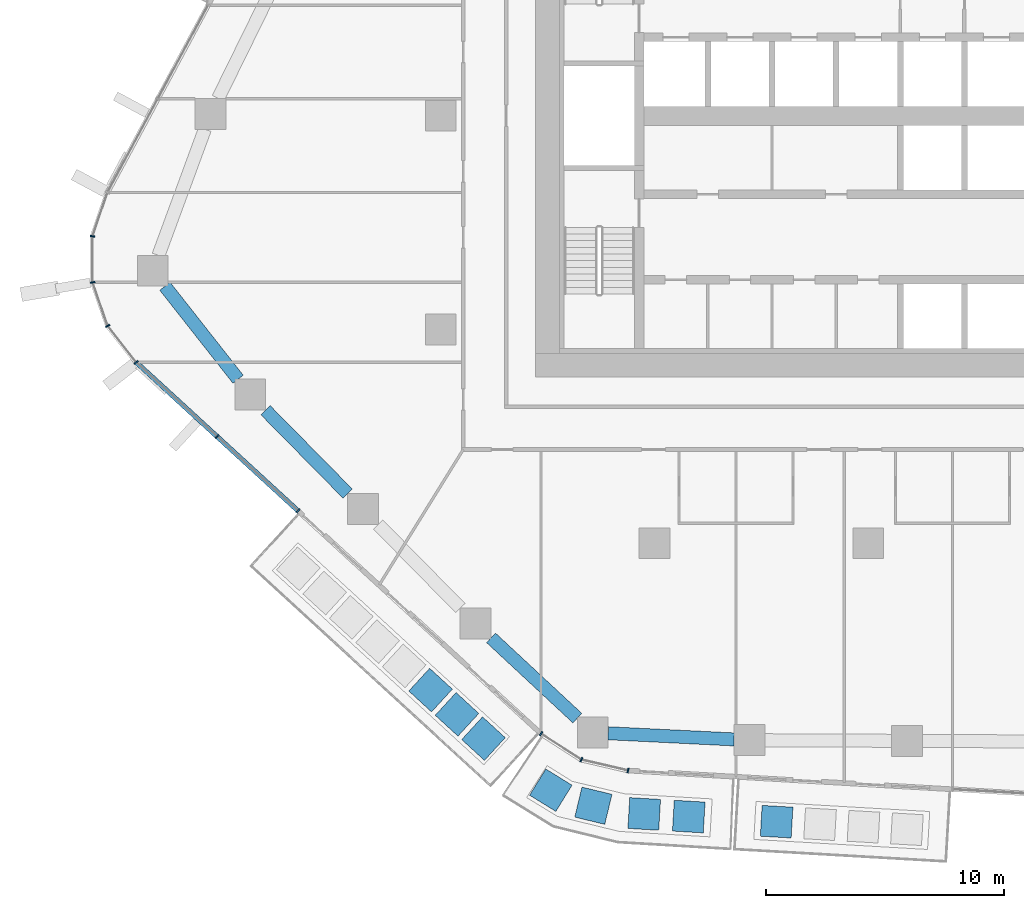
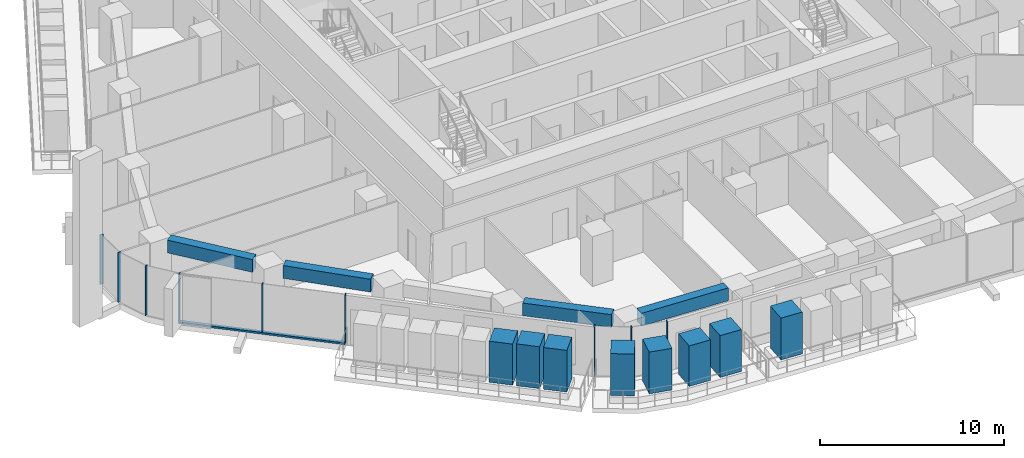
# One storey, part 2 of 24: 18 members, 4 beams, 3 elements without a shape of their own.
"""IFC4 building model written with IfcOpenShell, lengths in metres."""

import ifcopenshell
import ifcopenshell.guid

model = None  # the IFC model being written
_history = None  # IfcOwnerHistory: only IFC2X3 demands one
_inside = {}  # id of a spatial element -> (the spatial element, [elements in it])
_under = {}  # id of a project, library or spatial element -> (it, [spatial elements below it])
_declared = {}  # id of a project -> (the project, [libraries it declares])
_typed = {}  # id of a type object -> (the type object, [elements of that type])
_made_of = {}  # id of a material, layer set ... -> (it, [elements and type objects made of it])


def new_model(schema):
    """Start an empty IFC model of exactly this schema.

    Asked for "IFC4X3", IfcOpenShell would pick the latest addendum, in which some entities
    have other attributes; the version numbers below select the first issue.
    IFC2X3 requires an IfcOwnerHistory on every rooted entity: one is made here for all.
    """
    global model, _history
    if schema == "IFC4X3":
        model = ifcopenshell.file(schema_version=(4, 3, 0, 0))
    else:
        model = ifcopenshell.file(schema=schema)
    _inside.clear()
    _under.clear()
    _declared.clear()
    _typed.clear()
    _made_of.clear()
    _history = None
    if model.schema == "IFC2X3":
        org = make("IfcOrganization", Name="unknown")
        user = make(
            "IfcPersonAndOrganization",
            ThePerson=make("IfcPerson", FamilyName="unknown"),
            TheOrganization=org,
        )
        app = make(
            "IfcApplication",
            ApplicationDeveloper=org,
            Version="unknown",
            ApplicationFullName="unknown",
            ApplicationIdentifier="unknown",
        )
        _history = make(
            "IfcOwnerHistory",
            OwningUser=user,
            OwningApplication=app,
            ChangeAction="ADDED",
            CreationDate=0,
        )
    return model


def make(cls, **values):
    """One entity of the class cls with the attributes given. An attribute that is None is left unset."""
    return model.create_entity(
        cls, **{name: value for name, value in values.items() if value is not None}
    )


def rooted(cls, **values):
    """An entity with a GlobalId (a new one), such as an element, a storey or a relation."""
    return make(cls, GlobalId=ifcopenshell.guid.new(), OwnerHistory=_history, **values)


def si_unit(unit_type, name, prefix=None):
    """IfcSIUnit, for example si_unit("LENGTHUNIT", "METRE", prefix="MILLI")."""
    return make("IfcSIUnit", UnitType=unit_type, Prefix=prefix, Name=name)


def assignment(units):
    """IfcUnitAssignment: the units of a project."""
    return None if units is None else make("IfcUnitAssignment", Units=units)


def point(xyz):
    """IfcCartesianPoint."""
    return None if xyz is None else make("IfcCartesianPoint", Coordinates=xyz)


def direction(xyz):
    """IfcDirection."""
    return None if xyz is None else make("IfcDirection", DirectionRatios=xyz)


def frame(location, z_axis=None, x_axis=None):
    """IfcAxis2Placement3D, a coordinate frame: its origin and axes. An axis left out is left unset."""
    return make(
        "IfcAxis2Placement3D",
        Location=point(location),
        Axis=direction(z_axis),
        RefDirection=direction(x_axis),
    )


def frame_2d(location, x_axis=None):
    """IfcAxis2Placement2D, a coordinate frame in the plane: its origin and x axis."""
    return make(
        "IfcAxis2Placement2D", Location=point(location), RefDirection=direction(x_axis)
    )


def origin():
    """The frame at (0, 0, 0) with its axes left unset."""
    return frame((0.0, 0.0, 0.0))


def origin_2d():
    """The frame at (0, 0) in the plane with its x axis left unset."""
    return frame_2d((0.0, 0.0))


def place(relative_to, where):
    """IfcLocalPlacement: puts the frame where relative to a parent placement (None: the world)."""
    return make(
        "IfcLocalPlacement", PlacementRelTo=relative_to, RelativePlacement=where
    )


def context(
    kind, dimensions, precision=None, world=None, true_north=None, identifier=None
):
    """IfcGeometricRepresentationContext, for example the 3D "Model" context."""
    return make(
        "IfcGeometricRepresentationContext",
        ContextIdentifier=identifier,
        ContextType=kind,
        CoordinateSpaceDimension=dimensions,
        Precision=precision,
        WorldCoordinateSystem=world,
        TrueNorth=true_north,
    )


def subcontext(parent, identifier, kind, view, scale=None):
    """IfcGeometricRepresentationSubContext, for example "Body" below "Model"."""
    return make(
        "IfcGeometricRepresentationSubContext",
        ContextIdentifier=identifier,
        ContextType=kind,
        ParentContext=parent,
        TargetScale=scale,
        TargetView=view,
    )


def project(units=None, contexts=None):
    """IfcProject with its units and contexts."""
    return rooted(
        "IfcProject",
        Name="project",
        RepresentationContexts=contexts,
        UnitsInContext=assignment(units),
    )


def spatial(cls, under=None, at=None, **own):
    """A site, building, storey or space (cls), placed at a placement, below another one or the project."""
    s = rooted(cls, ObjectPlacement=at, **own)
    if under is not None:
        _under.setdefault(under.id(), (under, []))[1].append(s)
    return s


def profile(cls, at=None, kind="AREA", **sizes):
    """A parametric profile (cls). Its sizes go by their IFC names, for example OverallWidth=200.0."""
    return make(cls, ProfileType=kind, Position=at, **sizes)


def rectangle(**sizes):
    """IfcRectangleProfileDef."""
    return profile("IfcRectangleProfileDef", **sizes)


def extrude(swept, where, along, depth):
    """IfcExtrudedAreaSolid: the profile swept, set in the frame where, extruded along a direction by depth."""
    return make(
        "IfcExtrudedAreaSolid",
        SweptArea=swept,
        Position=where,
        ExtrudedDirection=direction(along),
        Depth=depth,
    )


def shape(context_of_items, identifier, shape_type, items):
    """IfcShapeRepresentation: the items that make up one representation, for example the "Body"."""
    return make(
        "IfcShapeRepresentation",
        ContextOfItems=context_of_items,
        RepresentationIdentifier=identifier,
        RepresentationType=shape_type,
        Items=items,
    )


def material(Name=None, Category=None):
    """IfcMaterial."""
    return make("IfcMaterial", Name=Name, Category=Category)


def layer(
    of_material, thickness, ventilated=None, Name=None, Category=None, Priority=None
):
    """IfcMaterialLayer: one layer of a wall or slab, of a material (None: an air gap)."""
    return make(
        "IfcMaterialLayer",
        Material=of_material,
        LayerThickness=thickness,
        IsVentilated=ventilated,
        Name=Name,
        Category=Category,
        Priority=Priority,
    )


def layer_set(layers, Name=None):
    """IfcMaterialLayerSet."""
    return make("IfcMaterialLayerSet", MaterialLayers=layers, LayerSetName=Name)


def material_profile(
    of_material, cross_section, Name=None, Category=None, Priority=None
):
    """IfcMaterialProfile: a cross section and its material."""
    return make(
        "IfcMaterialProfile",
        Name=Name,
        Material=of_material,
        Profile=cross_section,
        Priority=Priority,
        Category=Category,
    )


def profile_set(profiles, Name=None, composite=None):
    """IfcMaterialProfileSet."""
    return make(
        "IfcMaterialProfileSet",
        Name=Name,
        MaterialProfiles=profiles,
        CompositeProfile=composite,
    )


def made_of(thing, what):
    """Note that an element or type object is made of a material, layer set ...; save() writes the relation."""
    if what is not None:
        _made_of.setdefault(what.id(), (what, []))[1].append(thing)
    return thing


def type_object(cls, material=None, **own):
    """A type object (cls), such as IfcWallType, which elements share."""
    return made_of(rooted(cls, **own), material)


def element(
    cls,
    number,
    at=None,
    inside=None,
    cuts=None,
    type_object=None,
    material=None,
    context=None,
    identifier="Body",
    shape_type=None,
    held_by="IfcProductDefinitionShape",
    body=None,
    shapes=None,
    **own,
):
    """One element of the class cls, such as IfcWall. Its Tag is "e" and its number.

    at: its placement. inside: the storey or other place that contains it. cuts: it is an
    opening in that element (IfcRelVoidsElement). A single representation is given by context,
    identifier, shape_type and body (its items); several are given by shapes. held_by: the class
    of the entity that holds the representations. save() writes the other relations.
    """
    e = rooted(cls, Tag="e%d" % number, ObjectPlacement=at, **own)
    if body is not None:
        shapes = [shape(context, identifier, shape_type, body)]
    if shapes is not None:
        e.Representation = make(held_by, Representations=shapes)
    if inside is not None:
        _inside.setdefault(inside.id(), (inside, []))[1].append(e)
    if cuts is not None:
        rooted(
            "IfcRelVoidsElement", RelatingBuildingElement=cuts, RelatedOpeningElement=e
        )
    if type_object is not None:
        _typed.setdefault(type_object.id(), (type_object, []))[1].append(e)
    return made_of(e, material)


def aggregate(whole, parts):
    """IfcRelAggregates: a whole, such as a stair, and the parts it consists of."""
    return rooted("IfcRelAggregates", RelatingObject=whole, RelatedObjects=parts)


def save(model, path):
    """Write the relations noted so far, then the file.

    IfcRelAggregates (storeys below a building ...), IfcRelContainedInSpatialStructure (elements
    in a storey), IfcRelDefinesByType, IfcRelAssociatesMaterial and IfcRelDeclares: one each for
    every whole, place, type object, material and project.
    """
    for whole, parts in _under.values():
        aggregate(whole, parts)
    for where, things in _inside.values():
        rooted(
            "IfcRelContainedInSpatialStructure",
            RelatedElements=things,
            RelatingStructure=where,
        )
    for kind, things in _typed.values():
        rooted("IfcRelDefinesByType", RelatedObjects=things, RelatingType=kind)
    for what, things in _made_of.values():
        rooted("IfcRelAssociatesMaterial", RelatedObjects=things, RelatingMaterial=what)
    for by, libraries in _declared.values():
        rooted("IfcRelDeclares", RelatingContext=by, RelatedDefinitions=libraries)
    model.write(path)


model = new_model("IFC4")

# Units and contexts
model_context = context("Model", 3, precision=1e-05, world=origin(), true_north=direction((0.0, 1.0)))
body_context = subcontext(model_context, "Body", "Model", "MODEL_VIEW")
ifc_project = project(units=[si_unit("LENGTHUNIT", "METRE"), si_unit("AREAUNIT", "SQUARE_METRE"), si_unit("VOLUMEUNIT", "CUBIC_METRE"), si_unit("PLANEANGLEUNIT", "RADIAN"), si_unit("MASSUNIT", "GRAM", prefix="KILO")], contexts=[model_context])

# Site, building, storey
site_placement = place(None, origin())
site = spatial("IfcSite", under=ifc_project, at=site_placement, CompositionType="ELEMENT")
building_placement = place(site_placement, origin())
building = spatial("IfcBuilding", under=site, at=building_placement, Name="Dongbaek Canopy Tower", CompositionType="ELEMENT")
storey_placement = place(building_placement, frame((0.0, 0.0, 117.39990234375)))
storey = spatial("IfcBuildingStorey", under=building, at=storey_placement, Name="L25", CompositionType="ELEMENT", Elevation=117.39990234375)

# Curtain wall, members
ifc_material_1 = material(Name="Aluminium 6063-T6 pale anodised", Category="aluminium")
ifc_layer = layer(ifc_material_1, 0.199951171875)
ifc_layer_set = layer_set([ifc_layer], Name="CW-1 unitised tower curtain wall")
curtain_wall_type = type_object("IfcCurtainWallType", Name="CW-1 unitised tower curtain wall", PredefinedType="NOTDEFINED", material=ifc_layer_set)
curtain_wall_1_placement = place(storey_placement, origin())
curtain_wall_1 = element("IfcCurtainWall", 1, at=curtain_wall_1_placement, inside=storey, type_object=curtain_wall_type, Name="CW-1 curtain wall K3.1", PredefinedType="NOTDEFINED")
ifc_material_2 = material(Name="Aluminium 6063-T6 pale anodised", Category="aluminium")
ifc_material_profile_1 = material_profile(ifc_material_2, rectangle(XDim=0.199951171875, YDim=0.06005859375, at=origin_2d()), Name="CW-1 mullion 60 x 200")
ifc_profile_set_1 = profile_set([ifc_material_profile_1], Name="Aluminium 6063-T6 pale anodised")
member_type_1 = type_object("IfcMemberType", Name="CW-1 mullion 60 x 200", PredefinedType="MULLION", material=ifc_profile_set_1)
member_1_placement = place(storey_placement, frame((-32.6611328125, -5.07373046875, 0.0), z_axis=(0.0, 0.0, 1.0), x_axis=(-0.986786712671, 0.162024639164, 0.0)))
member_1 = element("IfcMember", 2, at=member_1_placement, type_object=member_type_1, Name="CW-1 mullion K3.1.2", PredefinedType="MULLION", context=body_context, shape_type="SweptSolid", body=[
    extrude(rectangle(XDim=0.199951171875, YDim=0.06005859375, at=origin_2d()), origin(), (0.0, 0.0, 1.0), 3.300048828125),
])
member_2_placement = place(storey_placement, frame((-32.65625, -7.013916015625, 0.0), z_axis=(0.0, 0.0, 1.0), x_axis=(-0.985975841841, -0.16688810415, 0.0)))
member_2 = element("IfcMember", 3, at=member_2_placement, type_object=member_type_1, Name="CW-1 mullion K3.1.3", PredefinedType="MULLION", context=body_context, shape_type="SweptSolid", body=[
    extrude(rectangle(XDim=0.199951171875, YDim=0.06005859375, at=origin_2d()), origin(), (0.0, 0.0, 1.0), 3.300048828125),
])
member_3_placement = place(storey_placement, frame((-32.0224609375, -8.84765625, 0.0), z_axis=(0.0, 0.0, 1.0), x_axis=(-0.878497913812, -0.47774618306, 0.0)))
member_3 = element("IfcMember", 4, at=member_3_placement, type_object=member_type_1, Name="CW-1 mullion K3.1.4", PredefinedType="MULLION", context=body_context, shape_type="SweptSolid", body=[
    extrude(rectangle(XDim=0.199951171875, YDim=0.06005859375, at=origin_2d()), origin(), (0.0, 0.0, 1.0), 3.300048828125),
])
member_4_placement = place(storey_placement, frame((-30.822509765625, -10.383056640625, 0.0), z_axis=(0.0, 0.0, 1.0), x_axis=(-0.787967884973, -0.615716340737, 0.0)))
member_4 = element("IfcMember", 5, at=member_4_placement, type_object=member_type_1, Name="CW-1 mullion K3.1.5", PredefinedType="MULLION", context=body_context, shape_type="SweptSolid", body=[
    extrude(rectangle(XDim=0.199951171875, YDim=0.06005859375, at=origin_2d()), origin(), (0.0, 0.0, 1.0), 3.300048828125),
])
aggregate(curtain_wall_1, [member_1, member_2, member_3, member_4])

curtain_wall_2_placement = place(storey_placement, origin())
curtain_wall_2 = element("IfcCurtainWall", 6, at=curtain_wall_2_placement, inside=storey, type_object=curtain_wall_type, Name="CW-1 curtain wall F3.1", PredefinedType="NOTDEFINED")
member_5_placement = place(storey_placement, frame((-27.417236328125, -13.5068359375, 0.1201171875), z_axis=(0.0, 0.0, 1.0), x_axis=(-0.675980347655, -0.73691964934, 0.0)))
member_5 = element("IfcMember", 7, at=member_5_placement, type_object=member_type_1, Name="CW-1 mullion F3.1.2", PredefinedType="MULLION", context=body_context, shape_type="SweptSolid", body=[
    extrude(rectangle(XDim=0.199951171875, YDim=0.06005859375, at=origin_2d()), origin(), (0.0, 0.0, 1.0), 3.179931640625),
])
member_6_placement = place(storey_placement, frame((-24.005615234375, -16.63623046875, 0.1201171875), z_axis=(0.0, 0.0, 1.0), x_axis=(-0.675980347655, -0.73691964934, 0.0)))
member_6 = element("IfcMember", 8, at=member_6_placement, type_object=member_type_1, Name="CW-1 mullion F3.1.3", PredefinedType="MULLION", context=body_context, shape_type="SweptSolid", body=[
    extrude(rectangle(XDim=0.199951171875, YDim=0.06005859375, at=origin_2d()), origin(), (0.0, 0.0, 1.0), 3.179931640625),
])

curtain_wall_3_placement = place(storey_placement, origin())
curtain_wall_3 = element("IfcCurtainWall", 9, at=curtain_wall_3_placement, inside=storey, type_object=curtain_wall_type, Name="CW-1 curtain wall K4.1", PredefinedType="NOTDEFINED")
member_7_placement = place(storey_placement, frame((-13.777099609375, -26.018798828125, 0.0), z_axis=(0.0, 0.0, 1.0), x_axis=(-0.540614176933, -0.84127065306, 0.0)))
member_7 = element("IfcMember", 10, at=member_7_placement, type_object=member_type_1, Name="CW-1 mullion K4.1.1", PredefinedType="MULLION", context=body_context, shape_type="SweptSolid", body=[
    extrude(rectangle(XDim=0.199951171875, YDim=0.06005859375, at=origin_2d()), origin(), (0.0, 0.0, 1.0), 3.300048828125),
])
member_8_placement = place(storey_placement, frame((-12.079833984375, -27.109619140625, 0.0), z_axis=(0.0, 0.0, 1.0), x_axis=(-0.389454972815, -0.921045506014, 0.0)))
member_8 = element("IfcMember", 11, at=member_8_placement, type_object=member_type_1, Name="CW-1 mullion K4.1.2", PredefinedType="MULLION", context=body_context, shape_type="SweptSolid", body=[
    extrude(rectangle(XDim=0.199951171875, YDim=0.06005859375, at=origin_2d()), origin(), (0.0, 0.0, 1.0), 3.300048828125),
])
member_9_placement = place(storey_placement, frame((-10.11474609375, -27.567626953125, 0.0), z_axis=(0.0, 0.0, 1.0), x_axis=(-0.226918569092, -0.973913734887, 0.0)))
member_9 = element("IfcMember", 12, at=member_9_placement, type_object=member_type_1, Name="CW-1 mullion K4.1.3", PredefinedType="MULLION", context=body_context, shape_type="SweptSolid", body=[
    extrude(rectangle(XDim=0.199951171875, YDim=0.06005859375, at=origin_2d()), origin(), (0.0, 0.0, 1.0), 3.300048828125),
])
aggregate(curtain_wall_3, [member_7, member_8, member_9])

# Member
ifc_material_3 = material(Name="Aluminium 6063-T6 pale anodised", Category="aluminium")
ifc_material_profile_2 = material_profile(ifc_material_3, rectangle(XDim=0.199951171875, YDim=0.1201171875, at=origin_2d()), Name="CW-1 transom 120 x 200")
ifc_profile_set_2 = profile_set([ifc_material_profile_2], Name="Aluminium 6063-T6 pale anodised")
member_type_2 = type_object("IfcMemberType", Name="CW-1 transom 120 x 200", PredefinedType="USERDEFINED", material=ifc_profile_set_2)
member_10_placement = place(storey_placement, frame((-30.822509765625, -10.383056640625, 0.06005859375), z_axis=(0.73691965449, -0.675980342041, 0.0), x_axis=(0.675980342041, 0.73691965449, 0.0)))
member_10 = element("IfcMember", 13, at=member_10_placement, type_object=member_type_2, Name="CW-1 transom F3.1.1", ObjectType="TRANSOM", PredefinedType="USERDEFINED", context=body_context, shape_type="SweptSolid", body=[
    extrude(rectangle(XDim=0.199951171875, YDim=0.1201171875, at=origin_2d()), origin(), (0.0, 0.0, 1.0), 9.25048828125),
])

aggregate(curtain_wall_2, [member_5, member_6, member_10])

# Beams
ifc_material_4 = material(Name="Concrete C80", Category="concrete")
ifc_material_profile_3 = material_profile(ifc_material_4, rectangle(XDim=0.550048828125, YDim=0.85009765625, at=origin_2d()), Name="RC EDGE BEAM 550x850 C80")
ifc_profile_set_3 = profile_set([ifc_material_profile_3], Name="Concrete C80")
beam_type = type_object("IfcBeamType", Name="RC EDGE BEAM 550x850 C80", PredefinedType="BEAM", material=ifc_profile_set_3)
beam_1_placement = place(storey_placement, frame((-5.64990234375, -26.258056640625, 2.875), z_axis=(-0.998796128786, 0.049053981722, 0.0), x_axis=(-0.049053981722, -0.998796128786, 0.0)))
element("IfcBeam", 14, at=beam_1_placement, inside=storey, type_object=beam_type, Name="EDGEBEAM:L25:03", PredefinedType="BEAM", context=body_context, shape_type="SweptSolid", body=[
    extrude(rectangle(XDim=0.550048828125, YDim=0.85009765625, at=origin_2d()), origin(), (0.0, 0.0, 1.0), 5.305419921875),
])
beam_2_placement = place(storey_placement, frame((-12.2490234375, -25.361328125, 2.875), z_axis=(-0.732272884801, 0.681011323097, 0.0), x_axis=(-0.681011323097, -0.732272884801, 0.0)))
element("IfcBeam", 15, at=beam_2_placement, inside=storey, type_object=beam_type, Name="EDGEBEAM:L25:04", PredefinedType="BEAM", context=body_context, shape_type="SweptSolid", body=[
    extrude(rectangle(XDim=0.550048828125, YDim=0.85009765625, at=origin_2d()), origin(), (0.0, 0.0, 1.0), 4.962646484375),
])
beam_3_placement = place(storey_placement, frame((-21.9169921875, -15.909912109375, 2.875), z_axis=(-0.70172014863, 0.712452688259, 0.0), x_axis=(-0.712452688259, -0.70172014863, 0.0)))
element("IfcBeam", 16, at=beam_3_placement, inside=storey, type_object=beam_type, Name="EDGEBEAM:L25:06", PredefinedType="BEAM", context=body_context, shape_type="SweptSolid", body=[
    extrude(rectangle(XDim=0.550048828125, YDim=0.85009765625, at=origin_2d()), origin(), (0.0, 0.0, 1.0), 4.936279296875),
])
beam_4_placement = place(storey_placement, frame((-26.532470703125, -11.093017578125, 2.875), z_axis=(-0.618340753303, 0.78591011751, 0.0), x_axis=(-0.78591011751, -0.618340753303, 0.0)))
element("IfcBeam", 17, at=beam_4_placement, inside=storey, type_object=beam_type, Name="EDGEBEAM:L25:07", PredefinedType="BEAM", context=body_context, shape_type="SweptSolid", body=[
    extrude(rectangle(XDim=0.550048828125, YDim=0.85009765625, at=origin_2d()), origin(), (0.0, 0.0, 1.0), 4.982666015625),
])

# Members
ifc_material_5 = material(Name="Concrete C40/50 planter mass with planting", Category="concrete")
ifc_material_profile_4 = material_profile(ifc_material_5, rectangle(XDim=1.300048828125, YDim=1.300048828125, at=origin_2d()), Name="Terrace PLANTER shrub mass 1300 x 1300")
ifc_profile_set_4 = profile_set([ifc_material_profile_4], Name="Concrete C40/50 planter mass with planting")
member_type_3 = type_object("IfcMemberType", Name="Terrace PLANTER shrub mass 1300 x 1300", PredefinedType="USERDEFINED", material=ifc_profile_set_4)
member_11_placement = place(storey_placement, frame((-18.427978515625, -24.181640625, 0.420166015625), z_axis=(0.0, 0.0, 1.0), x_axis=(-0.675980347655, -0.73691964934, 0.0)))
element("IfcMember", 18, at=member_11_placement, inside=storey, type_object=member_type_3, Name="Planter shrubs L25 3.6", ObjectType="PLANTER", PredefinedType="USERDEFINED", context=body_context, shape_type="SweptSolid", body=[
    extrude(rectangle(XDim=1.300048828125, YDim=1.300048828125, at=origin_2d()), origin(), (0.0, 0.0, 1.0), 2.72998046875),
])
member_12_placement = place(storey_placement, frame((-17.314208984375, -25.203125, 0.420166015625), z_axis=(0.0, 0.0, 1.0), x_axis=(-0.675980347655, -0.73691964934, 0.0)))
element("IfcMember", 19, at=member_12_placement, inside=storey, type_object=member_type_3, Name="Planter shrubs L25 3.7", ObjectType="PLANTER", PredefinedType="USERDEFINED", context=body_context, shape_type="SweptSolid", body=[
    extrude(rectangle(XDim=1.300048828125, YDim=1.300048828125, at=origin_2d()), origin(), (0.0, 0.0, 1.0), 2.780029296875),
])
member_13_placement = place(storey_placement, frame((-16.20068359375, -26.224609375, 0.420166015625), z_axis=(0.0, 0.0, 1.0), x_axis=(-0.675980347655, -0.73691964934, 0.0)))
element("IfcMember", 20, at=member_13_placement, inside=storey, type_object=member_type_3, Name="Planter shrubs L25 3.8", ObjectType="PLANTER", PredefinedType="USERDEFINED", context=body_context, shape_type="SweptSolid", body=[
    extrude(rectangle(XDim=1.300048828125, YDim=1.300048828125, at=origin_2d()), origin(), (0.0, 0.0, 1.0), 2.77001953125),
])
for number, where, z_axis, x_axis, name in (
    (21, (-3.857666015625, -29.722412109375, 0.420166015625), (0.0, 0.0, 1.0), (-0.057753163239, -0.998330893109, 0.0), "Planter shrubs L25 4.1"),
    (22, (-13.365234375, -28.396728515625, 0.420166015625), (0.0, 0.0, 1.0), (-0.525496148357, -0.850795979105, 0.0), "Planter shrubs L25 7.1"),
):
    element("IfcMember", number, at=place(storey_placement, frame(where, z_axis=z_axis, x_axis=x_axis)), inside=storey, type_object=member_type_3, Name=name, ObjectType="PLANTER", PredefinedType="USERDEFINED", context=body_context, shape_type="SweptSolid", body=[
        extrude(rectangle(XDim=1.300048828125, YDim=1.300048828125, at=origin_2d()), origin(), (0.0, 0.0, 1.0), 2.780029296875),
    ])
member_14_placement = place(storey_placement, frame((-11.573974609375, -29.049560546875, 0.420166015625), z_axis=(0.0, 0.0, 1.0), x_axis=(-0.234190600206, -0.972190702885, 0.0)))
element("IfcMember", 23, at=member_14_placement, inside=storey, type_object=member_type_3, Name="Planter shrubs L25 7.2", ObjectType="PLANTER", PredefinedType="USERDEFINED", context=body_context, shape_type="SweptSolid", body=[
    extrude(rectangle(XDim=1.300048828125, YDim=1.300048828125, at=origin_2d()), origin(), (0.0, 0.0, 1.0), 2.77001953125),
])
member_15_placement = place(storey_placement, frame((-9.4326171875, -29.395263671875, 0.420166015625), z_axis=(0.0, 0.0, 1.0), x_axis=(-0.059395433362, -0.998234532811, 0.0)))
element("IfcMember", 24, at=member_15_placement, inside=storey, type_object=member_type_3, Name="Planter shrubs L25 7.3", ObjectType="PLANTER", PredefinedType="USERDEFINED", context=body_context, shape_type="SweptSolid", body=[
    extrude(rectangle(XDim=1.300048828125, YDim=1.300048828125, at=origin_2d()), origin(), (0.0, 0.0, 1.0), 2.68994140625),
])
member_16_placement = place(storey_placement, frame((-7.556884765625, -29.5068359375, 0.420166015625), z_axis=(0.0, 0.0, 1.0), x_axis=(-0.059395433362, -0.998234532811, 0.0)))
element("IfcMember", 25, at=member_16_placement, inside=storey, type_object=member_type_3, Name="Planter shrubs L25 7.4", ObjectType="PLANTER", PredefinedType="USERDEFINED", context=body_context, shape_type="SweptSolid", body=[
    extrude(rectangle(XDim=1.300048828125, YDim=1.300048828125, at=origin_2d()), origin(), (0.0, 0.0, 1.0), 2.780029296875),
])

save(model, "model.ifc")
